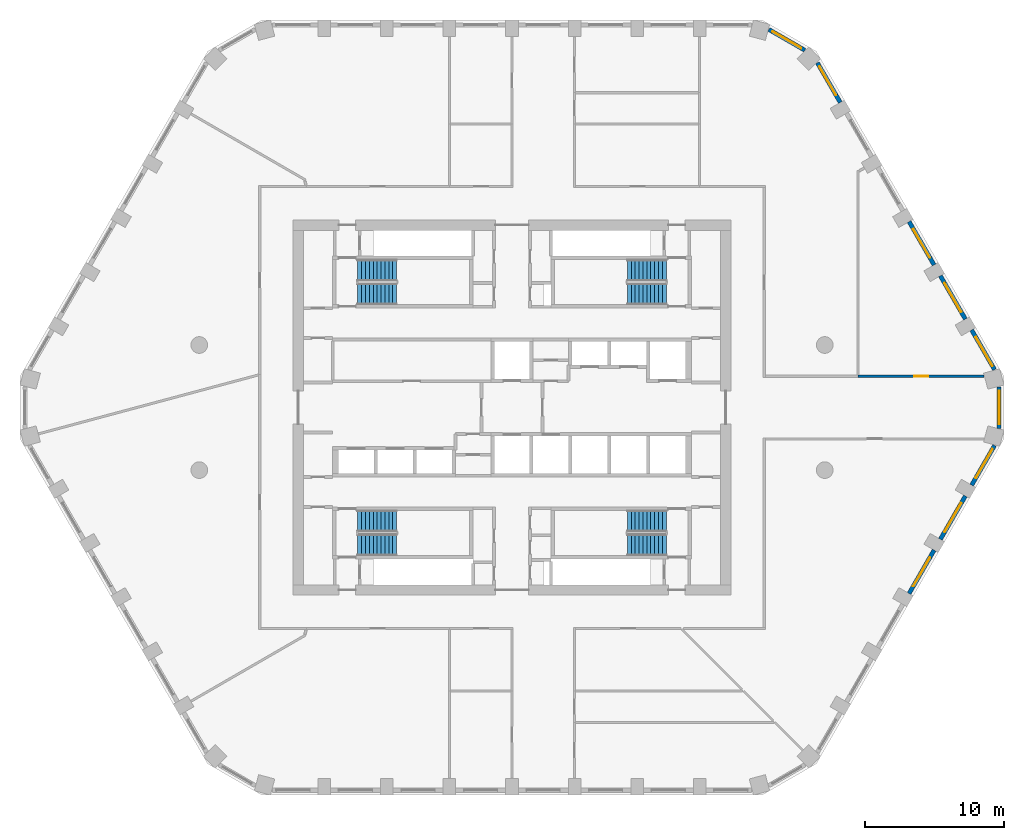
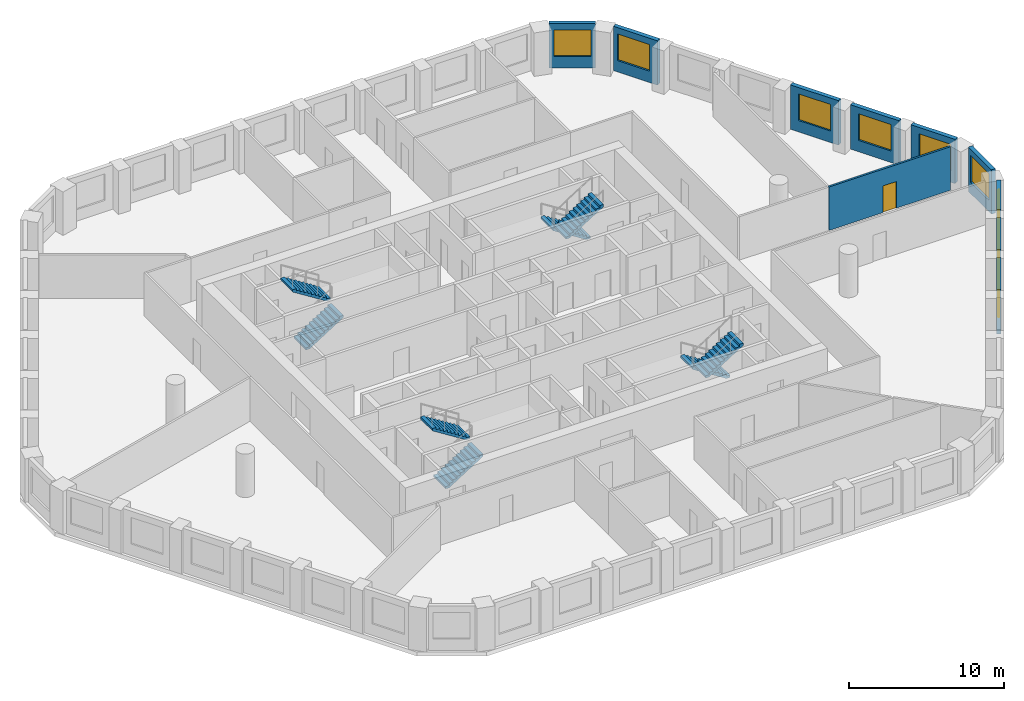
# One storey, part 8 of 9: 10 walls, 9 windows, 8 stair flights, 1 door, 10 openings, 4 elements without a shape of their own.
"""IFC4 building model written with IfcOpenShell, lengths in metres."""

from ifc_helpers import new_model, si_unit, direction, frame, frame_2d, origin, place, context, subcontext, project, spatial, polyline, rectangle, outline, extrude, material, layer, layer_set, type_object, element, fill, aggregate, save


model = new_model("IFC4")

# Units and contexts
model_context = context("Model", 3, precision=1e-05, world=origin(), true_north=direction((0.0, 1.0)))
body_context = subcontext(model_context, "Body", "Model", "MODEL_VIEW")
ifc_project = project(units=[si_unit("LENGTHUNIT", "METRE"), si_unit("AREAUNIT", "SQUARE_METRE"), si_unit("VOLUMEUNIT", "CUBIC_METRE"), si_unit("PLANEANGLEUNIT", "RADIAN"), si_unit("MASSUNIT", "GRAM", prefix="KILO")], contexts=[model_context])

# Site, building, storey
site_placement = place(None, origin())
site = spatial("IfcSite", under=ifc_project, at=site_placement, CompositionType="ELEMENT")
building_placement = place(site_placement, origin())
building = spatial("IfcBuilding", under=site, at=building_placement, Name="Dhurran Vertical Campus", CompositionType="ELEMENT")
storey_placement = place(building_placement, frame((0.0, 0.0, 175.5)))
storey = spatial("IfcBuildingStorey", under=building, at=storey_placement, Name="L43", CompositionType="ELEMENT", Elevation=175.5)

# Wall, opening, window
ifc_material_1 = material(Name="Precast concrete C50/60", Category="concrete")
ifc_layer_1 = layer(ifc_material_1, 0.300048828125)
ifc_layer_set_1 = layer_set([ifc_layer_1], Name="Precast concrete C50/60")
wall_type_1 = type_object("IfcWallType", Name="Precast spandrel wall 300", PredefinedType="SOLIDWALL", material=ifc_layer_set_1)
wall_1_placement = place(storey_placement, frame((28.5693359375, -13.376220703125, 0.0), z_axis=(0.0, 0.0, 1.0), x_axis=(0.500027802648, 0.866009351323, 0.0)))
wall_1 = element("IfcWall", 1, at=wall_1_placement, inside=storey, type_object=wall_type_1, Name="EW1 L43.12", PredefinedType="SOLIDWALL", context=body_context, shape_type="SweptSolid", body=[
    extrude(rectangle(XDim=3.598876953125, YDim=0.300048828125, at=frame_2d((1.79931640625, 0.0))), origin(), (0.0, 0.0, 1.0), 3.5),
])
opening_1_placement = place(wall_1_placement, frame((0.599609375, 0.0, 0.89990234375)))
opening_1 = element("IfcOpeningElement", 2, at=opening_1_placement, cuts=wall_1, Name="Opening WT1", PredefinedType="OPENING", context=body_context, shape_type="SweptSolid", body=[
    extrude(rectangle(XDim=2.39990234375, YDim=2.10009765625, at=frame_2d((1.199951171875, 1.050048828125))), frame((0.0, 0.159912109375, 0.0), z_axis=(0.0, -1.0, 0.0), x_axis=(1.0, 0.0, 0.0)), (0.0, 0.0, 1.0), 0.320068359375),
])
ifc_material_2 = material(Name="Aluminium frame with solar-control glass", Category="aluminium")
window_type = type_object("IfcWindowType", Name="Punched window 2400 x 2100", PartitioningType="SINGLE_PANEL", PredefinedType="WINDOW", material=ifc_material_2)
window_1_placement = place(opening_1_placement, origin())
window_1 = element("IfcWindow", 3, at=window_1_placement, inside=storey, type_object=window_type, Name="WT1 L43.12", OverallHeight=2.10009765625, OverallWidth=2.39990234375, PartitioningType="SINGLE_PANEL", PredefinedType="WINDOW", context=body_context, shape_type="SweptSolid", body=[
    extrude(rectangle(XDim=2.39990234375, YDim=2.10009765625, at=frame_2d((1.199951171875, 1.050048828125))), frame((0.0, 0.030029296875, 0.0), z_axis=(0.0, -1.0, 0.0), x_axis=(1.0, 0.0, 0.0)), (0.0, 0.0, 1.0), 0.06005859375),
])
fill(opening_1, window_1)

wall_2_placement = place(storey_placement, frame((30.8193359375, -9.47900390625, 0.0), z_axis=(0.0, 0.0, 1.0), x_axis=(0.500027802648, 0.866009351323, 0.0)))
wall_2 = element("IfcWall", 4, at=wall_2_placement, inside=storey, type_object=wall_type_1, Name="EW1 L43.13", PredefinedType="SOLIDWALL", context=body_context, shape_type="SweptSolid", body=[
    extrude(rectangle(XDim=3.598876953125, YDim=0.300048828125, at=frame_2d((1.79931640625, 0.0))), origin(), (0.0, 0.0, 1.0), 3.5),
])
opening_2_placement = place(wall_2_placement, frame((0.599609375, 0.0, 0.89990234375)))
opening_2 = element("IfcOpeningElement", 5, at=opening_2_placement, cuts=wall_2, Name="Opening WT1", PredefinedType="OPENING", context=body_context, shape_type="SweptSolid", body=[
    extrude(rectangle(XDim=2.39990234375, YDim=2.10009765625, at=frame_2d((1.199951171875, 1.050048828125))), frame((0.0, 0.159912109375, 0.0), z_axis=(0.0, -1.0, 0.0), x_axis=(1.0, 0.0, 0.0)), (0.0, 0.0, 1.0), 0.320068359375),
])
window_2_placement = place(opening_2_placement, origin())
window_2 = element("IfcWindow", 6, at=window_2_placement, inside=storey, type_object=window_type, Name="WT1 L43.13", OverallHeight=2.10009765625, OverallWidth=2.39990234375, PartitioningType="SINGLE_PANEL", PredefinedType="WINDOW", context=body_context, shape_type="SweptSolid", body=[
    extrude(rectangle(XDim=2.39990234375, YDim=2.10009765625, at=frame_2d((1.199951171875, 1.050048828125))), frame((0.0, 0.030029296875, 0.0), z_axis=(0.0, -1.0, 0.0), x_axis=(1.0, 0.0, 0.0)), (0.0, 0.0, 1.0), 0.06005859375),
])
fill(opening_2, window_2)

wall_3_placement = place(storey_placement, frame((33.0693359375, -5.58203125, 0.0), z_axis=(0.0, 0.0, 1.0), x_axis=(0.499981217486, 0.866036247602, 0.0)))
wall_3 = element("IfcWall", 7, at=wall_3_placement, inside=storey, type_object=wall_type_1, Name="EW1 L43.14", PredefinedType="SOLIDWALL", context=body_context, shape_type="SweptSolid", body=[
    extrude(rectangle(XDim=3.294189453125, YDim=0.300048828125, at=frame_2d((1.64697265625, 0.0))), origin(), (0.0, 0.0, 1.0), 3.5),
])
opening_3_placement = place(wall_3_placement, frame((0.599609375, 0.0, 0.89990234375)))
opening_3 = element("IfcOpeningElement", 8, at=opening_3_placement, cuts=wall_3, Name="Opening WT1", PredefinedType="OPENING", context=body_context, shape_type="SweptSolid", body=[
    extrude(rectangle(XDim=2.39990234375, YDim=2.10009765625, at=frame_2d((1.199951171875, 1.050048828125))), frame((0.0, 0.159912109375, 0.0), z_axis=(0.0, -1.0, 0.0), x_axis=(1.0, 0.0, 0.0)), (0.0, 0.0, 1.0), 0.320068359375),
])
window_3_placement = place(opening_3_placement, origin())
window_3 = element("IfcWindow", 9, at=window_3_placement, inside=storey, type_object=window_type, Name="WT1 L43.14", OverallHeight=2.10009765625, OverallWidth=2.39990234375, PartitioningType="SINGLE_PANEL", PredefinedType="WINDOW", context=body_context, shape_type="SweptSolid", body=[
    extrude(rectangle(XDim=2.39990234375, YDim=2.10009765625, at=frame_2d((1.199951171875, 1.050048828125))), frame((0.0, 0.030029296875, 0.0), z_axis=(0.0, -1.0, 0.0), x_axis=(1.0, 0.0, 0.0)), (0.0, 0.0, 1.0), 0.06005859375),
])
fill(opening_3, window_3)

wall_4_placement = place(storey_placement, frame((35.047119140625, -1.49462890625, 0.0), z_axis=(0.0, 0.0, 1.0), x_axis=(0.0, 1.0, 0.0)))
wall_4 = element("IfcWall", 10, at=wall_4_placement, inside=storey, type_object=wall_type_1, Name="EW1 L43.15", PredefinedType="SOLIDWALL", context=body_context, shape_type="SweptSolid", body=[
    extrude(rectangle(XDim=2.9892578125, YDim=0.300048828125, at=frame_2d((1.49462890625, 0.0))), origin(), (0.0, 0.0, 1.0), 3.5),
])
opening_4_placement = place(wall_4_placement, frame((0.294677734375, 0.0, 0.89990234375)))
opening_4 = element("IfcOpeningElement", 11, at=opening_4_placement, cuts=wall_4, Name="Opening WT1", PredefinedType="OPENING", context=body_context, shape_type="SweptSolid", body=[
    extrude(rectangle(XDim=2.39990234375, YDim=2.10009765625, at=frame_2d((1.199951171875, 1.050048828125))), frame((0.0, 0.159912109375, 0.0), z_axis=(0.0, -1.0, 0.0), x_axis=(1.0, 0.0, 0.0)), (0.0, 0.0, 1.0), 0.320068359375),
])
window_4_placement = place(opening_4_placement, origin())
window_4 = element("IfcWindow", 12, at=window_4_placement, inside=storey, type_object=window_type, Name="WT1 L43.15", OverallHeight=2.10009765625, OverallWidth=2.39990234375, PartitioningType="SINGLE_PANEL", PredefinedType="WINDOW", context=body_context, shape_type="SweptSolid", body=[
    extrude(rectangle(XDim=2.39990234375, YDim=2.10009765625, at=frame_2d((1.199951171875, 1.050048828125))), frame((0.0, 0.030029296875, 0.0), z_axis=(0.0, -1.0, 0.0), x_axis=(1.0, 0.0, 0.0)), (0.0, 0.0, 1.0), 0.06005859375),
])
fill(opening_4, window_4)

wall_5_placement = place(storey_placement, frame((34.71630859375, 2.729248046875, 0.0), z_axis=(0.0, 0.0, 1.0), x_axis=(-0.499981217486, 0.866036247602, 0.0)))
wall_5 = element("IfcWall", 13, at=wall_5_placement, inside=storey, type_object=wall_type_1, Name="EW1 L43.16", PredefinedType="SOLIDWALL", context=body_context, shape_type="SweptSolid", body=[
    extrude(rectangle(XDim=3.294189453125, YDim=0.300048828125, at=frame_2d((1.64697265625, 0.0))), origin(), (0.0, 0.0, 1.0), 3.5),
])
opening_5_placement = place(wall_5_placement, frame((0.294677734375, 0.0, 0.89990234375)))
opening_5 = element("IfcOpeningElement", 14, at=opening_5_placement, cuts=wall_5, Name="Opening WT1", PredefinedType="OPENING", context=body_context, shape_type="SweptSolid", body=[
    extrude(rectangle(XDim=2.39990234375, YDim=2.10009765625, at=frame_2d((1.199951171875, 1.050048828125))), frame((0.0, 0.159912109375, 0.0), z_axis=(0.0, -1.0, 0.0), x_axis=(1.0, 0.0, 0.0)), (0.0, 0.0, 1.0), 0.320068359375),
])
window_5_placement = place(opening_5_placement, origin())
window_5 = element("IfcWindow", 15, at=window_5_placement, inside=storey, type_object=window_type, Name="WT1 L43.16", OverallHeight=2.10009765625, OverallWidth=2.39990234375, PartitioningType="SINGLE_PANEL", PredefinedType="WINDOW", context=body_context, shape_type="SweptSolid", body=[
    extrude(rectangle(XDim=2.39990234375, YDim=2.10009765625, at=frame_2d((1.199951171875, 1.050048828125))), frame((0.0, 0.030029296875, 0.0), z_axis=(0.0, -1.0, 0.0), x_axis=(1.0, 0.0, 0.0)), (0.0, 0.0, 1.0), 0.06005859375),
])
fill(opening_5, window_5)

wall_6_placement = place(storey_placement, frame((32.618896484375, 6.3623046875, 0.0), z_axis=(0.0, 0.0, 1.0), x_axis=(-0.500027802648, 0.866009351323, 0.0)))
wall_6 = element("IfcWall", 16, at=wall_6_placement, inside=storey, type_object=wall_type_1, Name="EW1 L43.17", PredefinedType="SOLIDWALL", context=body_context, shape_type="SweptSolid", body=[
    extrude(rectangle(XDim=3.598876953125, YDim=0.300048828125, at=frame_2d((1.79931640625, 0.0))), origin(), (0.0, 0.0, 1.0), 3.5),
])
opening_6_placement = place(wall_6_placement, frame((0.599609375, 0.0, 0.89990234375)))
opening_6 = element("IfcOpeningElement", 17, at=opening_6_placement, cuts=wall_6, Name="Opening WT1", PredefinedType="OPENING", context=body_context, shape_type="SweptSolid", body=[
    extrude(rectangle(XDim=2.39990234375, YDim=2.10009765625, at=frame_2d((1.199951171875, 1.050048828125))), frame((0.0, 0.159912109375, 0.0), z_axis=(0.0, -1.0, 0.0), x_axis=(1.0, 0.0, 0.0)), (0.0, 0.0, 1.0), 0.320068359375),
])
window_6_placement = place(opening_6_placement, origin())
window_6 = element("IfcWindow", 18, at=window_6_placement, inside=storey, type_object=window_type, Name="WT1 L43.17", OverallHeight=2.10009765625, OverallWidth=2.39990234375, PartitioningType="SINGLE_PANEL", PredefinedType="WINDOW", context=body_context, shape_type="SweptSolid", body=[
    extrude(rectangle(XDim=2.39990234375, YDim=2.10009765625, at=frame_2d((1.199951171875, 1.050048828125))), frame((0.0, 0.030029296875, 0.0), z_axis=(0.0, -1.0, 0.0), x_axis=(1.0, 0.0, 0.0)), (0.0, 0.0, 1.0), 0.06005859375),
])
fill(opening_6, window_6)

wall_7_placement = place(storey_placement, frame((30.368896484375, 10.259521484375, 0.0), z_axis=(0.0, 0.0, 1.0), x_axis=(-0.500027802648, 0.866009351323, 0.0)))
wall_7 = element("IfcWall", 19, at=wall_7_placement, inside=storey, type_object=wall_type_1, Name="EW1 L43.18", PredefinedType="SOLIDWALL", context=body_context, shape_type="SweptSolid", body=[
    extrude(rectangle(XDim=3.598876953125, YDim=0.300048828125, at=frame_2d((1.79931640625, 0.0))), origin(), (0.0, 0.0, 1.0), 3.5),
])
opening_7_placement = place(wall_7_placement, frame((0.599609375, 0.0, 0.89990234375)))
opening_7 = element("IfcOpeningElement", 20, at=opening_7_placement, cuts=wall_7, Name="Opening WT1", PredefinedType="OPENING", context=body_context, shape_type="SweptSolid", body=[
    extrude(rectangle(XDim=2.39990234375, YDim=2.10009765625, at=frame_2d((1.199951171875, 1.050048828125))), frame((0.0, 0.159912109375, 0.0), z_axis=(0.0, -1.0, 0.0), x_axis=(1.0, 0.0, 0.0)), (0.0, 0.0, 1.0), 0.320068359375),
])
window_7_placement = place(opening_7_placement, origin())
window_7 = element("IfcWindow", 21, at=window_7_placement, inside=storey, type_object=window_type, Name="WT1 L43.18", OverallHeight=2.10009765625, OverallWidth=2.39990234375, PartitioningType="SINGLE_PANEL", PredefinedType="WINDOW", context=body_context, shape_type="SweptSolid", body=[
    extrude(rectangle(XDim=2.39990234375, YDim=2.10009765625, at=frame_2d((1.199951171875, 1.050048828125))), frame((0.0, 0.030029296875, 0.0), z_axis=(0.0, -1.0, 0.0), x_axis=(1.0, 0.0, 0.0)), (0.0, 0.0, 1.0), 0.06005859375),
])
fill(opening_7, window_7)

wall_8_placement = place(storey_placement, frame((23.618896484375, 21.95068359375, 0.0), z_axis=(0.0, 0.0, 1.0), x_axis=(-0.500036802197, 0.866004154983, 0.0)))
wall_8 = element("IfcWall", 22, at=wall_8_placement, inside=storey, type_object=wall_type_1, Name="EW1 L43.21", PredefinedType="SOLIDWALL", context=body_context, shape_type="SweptSolid", body=[
    extrude(rectangle(XDim=3.294189453125, YDim=0.300048828125, at=frame_2d((1.64697265625, 0.0))), origin(), (0.0, 0.0, 1.0), 3.5),
])
opening_8_placement = place(wall_8_placement, frame((0.599609375, 0.0, 0.89990234375)))
opening_8 = element("IfcOpeningElement", 23, at=opening_8_placement, cuts=wall_8, Name="Opening WT1", PredefinedType="OPENING", context=body_context, shape_type="SweptSolid", body=[
    extrude(rectangle(XDim=2.39990234375, YDim=2.10009765625, at=frame_2d((1.199951171875, 1.050048828125))), frame((0.0, 0.159912109375, 0.0), z_axis=(0.0, -1.0, 0.0), x_axis=(1.0, 0.0, 0.0)), (0.0, 0.0, 1.0), 0.320068359375),
])
window_8_placement = place(opening_8_placement, origin())
window_8 = element("IfcWindow", 24, at=window_8_placement, inside=storey, type_object=window_type, Name="WT1 L43.21", OverallHeight=2.10009765625, OverallWidth=2.39990234375, PartitioningType="SINGLE_PANEL", PredefinedType="WINDOW", context=body_context, shape_type="SweptSolid", body=[
    extrude(rectangle(XDim=2.39990234375, YDim=2.10009765625, at=frame_2d((1.199951171875, 1.050048828125))), frame((0.0, 0.030029296875, 0.0), z_axis=(0.0, -1.0, 0.0), x_axis=(1.0, 0.0, 0.0)), (0.0, 0.0, 1.0), 0.06005859375),
])
fill(opening_8, window_8)

wall_9_placement = place(storey_placement, frame((21.06787109375, 25.707275390625, 0.0), z_axis=(0.0, 0.0, 1.0), x_axis=(-0.866012844897, 0.500021752, 0.0)))
wall_9 = element("IfcWall", 25, at=wall_9_placement, inside=storey, type_object=wall_type_1, Name="EW1 L43.22", PredefinedType="SOLIDWALL", context=body_context, shape_type="SweptSolid", body=[
    extrude(rectangle(XDim=2.989013671875, YDim=0.300048828125, at=frame_2d((1.49462890625, 0.0))), origin(), (0.0, 0.0, 1.0), 3.5),
])
opening_9_placement = place(wall_9_placement, frame((0.294677734375, 0.0, 0.89990234375)))
opening_9 = element("IfcOpeningElement", 26, at=opening_9_placement, cuts=wall_9, Name="Opening WT1", PredefinedType="OPENING", context=body_context, shape_type="SweptSolid", body=[
    extrude(rectangle(XDim=2.39990234375, YDim=2.10009765625, at=frame_2d((1.199951171875, 1.050048828125))), frame((0.0, 0.159912109375, 0.0), z_axis=(0.0, -1.0, 0.0), x_axis=(1.0, 0.0, 0.0)), (0.0, 0.0, 1.0), 0.320068359375),
])
window_9_placement = place(opening_9_placement, origin())
window_9 = element("IfcWindow", 27, at=window_9_placement, inside=storey, type_object=window_type, Name="WT1 L43.22", OverallHeight=2.10009765625, OverallWidth=2.39990234375, PartitioningType="SINGLE_PANEL", PredefinedType="WINDOW", context=body_context, shape_type="SweptSolid", body=[
    extrude(rectangle(XDim=2.39990234375, YDim=2.10009765625, at=frame_2d((1.199951171875, 1.050048828125))), frame((0.0, 0.030029296875, 0.0), z_axis=(0.0, -1.0, 0.0), x_axis=(1.0, 0.0, 0.0)), (0.0, 0.0, 1.0), 0.06005859375),
])
fill(opening_9, window_9)

# Wall, opening, door
ifc_material_3 = material(Name="Gypsum board corridor wall on steel studs", Category="steel")
ifc_layer_2 = layer(ifc_material_3, 0.14990234375)
ifc_layer_set_2 = layer_set([ifc_layer_2], Name="Gypsum board corridor wall on steel studs")
wall_type_2 = type_object("IfcWallType", Name="fl-CW-150 corridor wall", PredefinedType="PARTITIONING", material=ifc_layer_set_2)
wall_10_placement = place(storey_placement, frame((24.89990234375, 2.25, 0.0), z_axis=(0.0, 0.0, 1.0), x_axis=(1.0, 0.0, 0.0)))
wall_10 = element("IfcWall", 28, at=wall_10_placement, inside=storey, type_object=wall_type_2, Name="Partition 43-49", PredefinedType="PARTITIONING", context=body_context, shape_type="SweptSolid", body=[
    extrude(rectangle(XDim=9.06787109375, YDim=0.14990234375, at=frame_2d((4.533935546875, 0.0))), origin(), (0.0, 0.0, 1.0), 3.425048828125),
])
opening_10_placement = place(wall_10_placement, frame((4.033935546875, 0.0, 0.0)))
opening_10 = element("IfcOpeningElement", 29, at=opening_10_placement, cuts=wall_10, Name="Opening T12.17", PredefinedType="OPENING", context=body_context, shape_type="SweptSolid", body=[
    extrude(rectangle(XDim=1.0, YDim=2.10009765625, at=frame_2d((0.5, 1.050048828125))), frame((0.0, 0.0849609375, 0.0), z_axis=(0.0, -1.0, 0.0), x_axis=(1.0, 0.0, 0.0)), (0.0, 0.0, 1.0), 0.169921875),
])
ifc_material_4 = material(Name="Solid-core timber door set, fire-rated", Category="wood")
door_type = type_object("IfcDoorType", Name="fl-D-1000x2100", OperationType="SINGLE_SWING_LEFT", PredefinedType="DOOR", material=ifc_material_4)
door_placement = place(opening_10_placement, origin())
door = element("IfcDoor", 30, at=door_placement, inside=storey, type_object=door_type, Name="Door 43.17", OperationType="SINGLE_SWING_RIGHT", OverallHeight=2.10009765625, OverallWidth=1.0, PredefinedType="DOOR", context=body_context, shape_type="SweptSolid", body=[
    extrude(rectangle(XDim=1.0, YDim=2.10009765625, at=frame_2d((0.5, 1.050048828125))), frame((0.0, 0.02490234375, 0.0), z_axis=(0.0, -1.0, 0.0), x_axis=(1.0, 0.0, 0.0)), (0.0, 0.0, 1.0), 0.050048828125),
])
fill(opening_10, door)

# Stair, stair flights
ifc_material_5 = material(Name="Concrete C40/50", Category="concrete")
stair_type = type_object("IfcStairType", Name="co-ST-CORE", PredefinedType="HALF_TURN_STAIR", material=ifc_material_5)
stair_1_placement = place(storey_placement, origin())
stair_1 = element("IfcStair", 31, at=stair_1_placement, inside=storey, type_object=stair_type, Name="L43 Protected exit stair ST1", PredefinedType="HALF_TURN_STAIR")
ifc_material_6 = material(Name="Concrete C40/50", Category="concrete")
stair_flight_type = type_object("IfcStairFlightType", Name="co-SFL-RC", PredefinedType="STRAIGHT", material=ifc_material_6)
stair_flight_1_placement = place(storey_placement, frame((-11.10009765625, 8.175048828125, 0.0), z_axis=(0.0, 0.0, 1.0), x_axis=(1.0, 0.0, 0.0)))
stair_flight_1 = element("IfcStairFlight", 32, at=stair_flight_1_placement, type_object=stair_flight_type, Name="ST1 flight 1", NumberOfRisers=11, NumberOfTreads=10, PredefinedType="STRAIGHT", RiserHeight=0.177272727, TreadLength=0.28, context=body_context, shape_type="SweptSolid", body=[
    extrude(outline(polyline([(0.0, 0.0), (0.0, 0.17724609375), (0.280029296875, 0.17724609375), (0.280029296875, 0.3544921875), (0.56005859375, 0.3544921875), (0.56005859375, 0.53173828125), (0.840087890625, 0.53173828125), (0.840087890625, 0.708984375), (1.1201171875, 0.708984375), (1.1201171875, 0.886474609375), (1.39990234375, 0.886474609375), (1.39990234375, 1.063720703125), (1.679931640625, 1.063720703125), (1.679931640625, 1.240966796875), (1.9599609375, 1.240966796875), (1.9599609375, 1.418212890625), (2.239990234375, 1.418212890625), (2.239990234375, 1.595458984375), (2.52001953125, 1.595458984375), (2.52001953125, 1.772705078125), (2.800048828125, 1.772705078125), (2.800048828125, 1.949951171875), (2.800048828125, 1.59521484375), (0.2802734375, 0.0), (0.0, 0.0)])), frame((0.0, 0.77490234375, 0.0), z_axis=(0.0, -1.0, 0.0), x_axis=(1.0, 0.0, 0.0)), (0.0, 0.0, 1.0), 1.550048828125),
])
stair_flight_2_placement = place(storey_placement, frame((-8.300048828125, 9.875, 1.949951171875), z_axis=(0.0, 0.0, 1.0), x_axis=(-1.0, 0.0, 0.0)))
stair_flight_2 = element("IfcStairFlight", 33, at=stair_flight_2_placement, type_object=stair_flight_type, Name="ST1 flight 2", NumberOfRisers=11, NumberOfTreads=10, PredefinedType="STRAIGHT", RiserHeight=0.177272727, TreadLength=0.28, context=body_context, shape_type="SweptSolid", body=[
    extrude(outline(polyline([(0.0, 0.0), (0.0, 0.17724609375), (0.280029296875, 0.17724609375), (0.280029296875, 0.3544921875), (0.56005859375, 0.3544921875), (0.56005859375, 0.53173828125), (0.840087890625, 0.53173828125), (0.840087890625, 0.708984375), (1.1201171875, 0.708984375), (1.1201171875, 0.886474609375), (1.39990234375, 0.886474609375), (1.39990234375, 1.063720703125), (1.679931640625, 1.063720703125), (1.679931640625, 1.240966796875), (1.9599609375, 1.240966796875), (1.9599609375, 1.418212890625), (2.239990234375, 1.418212890625), (2.239990234375, 1.595458984375), (2.52001953125, 1.595458984375), (2.52001953125, 1.772705078125), (2.800048828125, 1.772705078125), (2.800048828125, 1.949951171875), (2.800048828125, 1.59521484375), (0.2802734375, 0.0), (0.0, 0.0)])), frame((0.0, 0.77490234375, 0.0), z_axis=(0.0, -1.0, 0.0), x_axis=(1.0, 0.0, 0.0)), (0.0, 0.0, 1.0), 1.550048828125),
])
aggregate(stair_1, [stair_flight_1, stair_flight_2])

stair_2_placement = place(storey_placement, origin())
stair_2 = element("IfcStair", 34, at=stair_2_placement, inside=storey, type_object=stair_type, Name="L43 Protected exit stair ST2", PredefinedType="HALF_TURN_STAIR")
stair_flight_3_placement = place(storey_placement, frame((11.10009765625, 9.875, 0.0), z_axis=(0.0, 0.0, 1.0), x_axis=(-1.0, 0.0, 0.0)))
stair_flight_3 = element("IfcStairFlight", 35, at=stair_flight_3_placement, type_object=stair_flight_type, Name="ST2 flight 1", NumberOfRisers=11, NumberOfTreads=10, PredefinedType="STRAIGHT", RiserHeight=0.177272727, TreadLength=0.28, context=body_context, shape_type="SweptSolid", body=[
    extrude(outline(polyline([(0.0, 0.0), (0.0, 0.17724609375), (0.280029296875, 0.17724609375), (0.280029296875, 0.3544921875), (0.56005859375, 0.3544921875), (0.56005859375, 0.53173828125), (0.840087890625, 0.53173828125), (0.840087890625, 0.708984375), (1.1201171875, 0.708984375), (1.1201171875, 0.886474609375), (1.39990234375, 0.886474609375), (1.39990234375, 1.063720703125), (1.679931640625, 1.063720703125), (1.679931640625, 1.240966796875), (1.9599609375, 1.240966796875), (1.9599609375, 1.418212890625), (2.239990234375, 1.418212890625), (2.239990234375, 1.595458984375), (2.52001953125, 1.595458984375), (2.52001953125, 1.772705078125), (2.800048828125, 1.772705078125), (2.800048828125, 1.949951171875), (2.800048828125, 1.59521484375), (0.2802734375, 0.0), (0.0, 0.0)])), frame((0.0, 0.77490234375, 0.0), z_axis=(0.0, -1.0, 0.0), x_axis=(1.0, 0.0, 0.0)), (0.0, 0.0, 1.0), 1.550048828125),
])
stair_flight_4_placement = place(storey_placement, frame((8.300048828125, 8.175048828125, 1.949951171875), z_axis=(0.0, 0.0, 1.0), x_axis=(1.0, 0.0, 0.0)))
stair_flight_4 = element("IfcStairFlight", 36, at=stair_flight_4_placement, type_object=stair_flight_type, Name="ST2 flight 2", NumberOfRisers=11, NumberOfTreads=10, PredefinedType="STRAIGHT", RiserHeight=0.177272727, TreadLength=0.28, context=body_context, shape_type="SweptSolid", body=[
    extrude(outline(polyline([(0.0, 0.0), (0.0, 0.17724609375), (0.280029296875, 0.17724609375), (0.280029296875, 0.3544921875), (0.56005859375, 0.3544921875), (0.56005859375, 0.53173828125), (0.840087890625, 0.53173828125), (0.840087890625, 0.708984375), (1.1201171875, 0.708984375), (1.1201171875, 0.886474609375), (1.39990234375, 0.886474609375), (1.39990234375, 1.063720703125), (1.679931640625, 1.063720703125), (1.679931640625, 1.240966796875), (1.9599609375, 1.240966796875), (1.9599609375, 1.418212890625), (2.239990234375, 1.418212890625), (2.239990234375, 1.595458984375), (2.52001953125, 1.595458984375), (2.52001953125, 1.772705078125), (2.800048828125, 1.772705078125), (2.800048828125, 1.949951171875), (2.800048828125, 1.59521484375), (0.2802734375, 0.0), (0.0, 0.0)])), frame((0.0, 0.77490234375, 0.0), z_axis=(0.0, -1.0, 0.0), x_axis=(1.0, 0.0, 0.0)), (0.0, 0.0, 1.0), 1.550048828125),
])
aggregate(stair_2, [stair_flight_3, stair_flight_4])

stair_3_placement = place(storey_placement, origin())
stair_3 = element("IfcStair", 37, at=stair_3_placement, inside=storey, type_object=stair_type, Name="L43 Protected exit stair ST3", PredefinedType="HALF_TURN_STAIR")
stair_flight_5_placement = place(storey_placement, frame((-11.10009765625, -9.875, 0.0), z_axis=(0.0, 0.0, 1.0), x_axis=(1.0, 0.0, 0.0)))
stair_flight_5 = element("IfcStairFlight", 38, at=stair_flight_5_placement, type_object=stair_flight_type, Name="ST3 flight 1", NumberOfRisers=11, NumberOfTreads=10, PredefinedType="STRAIGHT", RiserHeight=0.177272727, TreadLength=0.28, context=body_context, shape_type="SweptSolid", body=[
    extrude(outline(polyline([(0.0, 0.0), (0.0, 0.17724609375), (0.280029296875, 0.17724609375), (0.280029296875, 0.3544921875), (0.56005859375, 0.3544921875), (0.56005859375, 0.53173828125), (0.840087890625, 0.53173828125), (0.840087890625, 0.708984375), (1.1201171875, 0.708984375), (1.1201171875, 0.886474609375), (1.39990234375, 0.886474609375), (1.39990234375, 1.063720703125), (1.679931640625, 1.063720703125), (1.679931640625, 1.240966796875), (1.9599609375, 1.240966796875), (1.9599609375, 1.418212890625), (2.239990234375, 1.418212890625), (2.239990234375, 1.595458984375), (2.52001953125, 1.595458984375), (2.52001953125, 1.772705078125), (2.800048828125, 1.772705078125), (2.800048828125, 1.949951171875), (2.800048828125, 1.59521484375), (0.2802734375, 0.0), (0.0, 0.0)])), frame((0.0, 0.77490234375, 0.0), z_axis=(0.0, -1.0, 0.0), x_axis=(1.0, 0.0, 0.0)), (0.0, 0.0, 1.0), 1.550048828125),
])
stair_flight_6_placement = place(storey_placement, frame((-8.300048828125, -8.175048828125, 1.949951171875), z_axis=(0.0, 0.0, 1.0), x_axis=(-1.0, 0.0, 0.0)))
stair_flight_6 = element("IfcStairFlight", 39, at=stair_flight_6_placement, type_object=stair_flight_type, Name="ST3 flight 2", NumberOfRisers=11, NumberOfTreads=10, PredefinedType="STRAIGHT", RiserHeight=0.177272727, TreadLength=0.28, context=body_context, shape_type="SweptSolid", body=[
    extrude(outline(polyline([(0.0, 0.0), (0.0, 0.17724609375), (0.280029296875, 0.17724609375), (0.280029296875, 0.3544921875), (0.56005859375, 0.3544921875), (0.56005859375, 0.53173828125), (0.840087890625, 0.53173828125), (0.840087890625, 0.708984375), (1.1201171875, 0.708984375), (1.1201171875, 0.886474609375), (1.39990234375, 0.886474609375), (1.39990234375, 1.063720703125), (1.679931640625, 1.063720703125), (1.679931640625, 1.240966796875), (1.9599609375, 1.240966796875), (1.9599609375, 1.418212890625), (2.239990234375, 1.418212890625), (2.239990234375, 1.595458984375), (2.52001953125, 1.595458984375), (2.52001953125, 1.772705078125), (2.800048828125, 1.772705078125), (2.800048828125, 1.949951171875), (2.800048828125, 1.59521484375), (0.2802734375, 0.0), (0.0, 0.0)])), frame((0.0, 0.77490234375, 0.0), z_axis=(0.0, -1.0, 0.0), x_axis=(1.0, 0.0, 0.0)), (0.0, 0.0, 1.0), 1.550048828125),
])
aggregate(stair_3, [stair_flight_5, stair_flight_6])

stair_4_placement = place(storey_placement, origin())
stair_4 = element("IfcStair", 40, at=stair_4_placement, inside=storey, type_object=stair_type, Name="L43 Protected exit stair ST4", PredefinedType="HALF_TURN_STAIR")
stair_flight_7_placement = place(storey_placement, frame((11.10009765625, -8.175048828125, 0.0), z_axis=(0.0, 0.0, 1.0), x_axis=(-1.0, 0.0, 0.0)))
stair_flight_7 = element("IfcStairFlight", 41, at=stair_flight_7_placement, type_object=stair_flight_type, Name="ST4 flight 1", NumberOfRisers=11, NumberOfTreads=10, PredefinedType="STRAIGHT", RiserHeight=0.177272727, TreadLength=0.28, context=body_context, shape_type="SweptSolid", body=[
    extrude(outline(polyline([(0.0, 0.0), (0.0, 0.17724609375), (0.280029296875, 0.17724609375), (0.280029296875, 0.3544921875), (0.56005859375, 0.3544921875), (0.56005859375, 0.53173828125), (0.840087890625, 0.53173828125), (0.840087890625, 0.708984375), (1.1201171875, 0.708984375), (1.1201171875, 0.886474609375), (1.39990234375, 0.886474609375), (1.39990234375, 1.063720703125), (1.679931640625, 1.063720703125), (1.679931640625, 1.240966796875), (1.9599609375, 1.240966796875), (1.9599609375, 1.418212890625), (2.239990234375, 1.418212890625), (2.239990234375, 1.595458984375), (2.52001953125, 1.595458984375), (2.52001953125, 1.772705078125), (2.800048828125, 1.772705078125), (2.800048828125, 1.949951171875), (2.800048828125, 1.59521484375), (0.2802734375, 0.0), (0.0, 0.0)])), frame((0.0, 0.77490234375, 0.0), z_axis=(0.0, -1.0, 0.0), x_axis=(1.0, 0.0, 0.0)), (0.0, 0.0, 1.0), 1.550048828125),
])
stair_flight_8_placement = place(storey_placement, frame((8.300048828125, -9.875, 1.949951171875), z_axis=(0.0, 0.0, 1.0), x_axis=(1.0, 0.0, 0.0)))
stair_flight_8 = element("IfcStairFlight", 42, at=stair_flight_8_placement, type_object=stair_flight_type, Name="ST4 flight 2", NumberOfRisers=11, NumberOfTreads=10, PredefinedType="STRAIGHT", RiserHeight=0.177272727, TreadLength=0.28, context=body_context, shape_type="SweptSolid", body=[
    extrude(outline(polyline([(0.0, 0.0), (0.0, 0.17724609375), (0.280029296875, 0.17724609375), (0.280029296875, 0.3544921875), (0.56005859375, 0.3544921875), (0.56005859375, 0.53173828125), (0.840087890625, 0.53173828125), (0.840087890625, 0.708984375), (1.1201171875, 0.708984375), (1.1201171875, 0.886474609375), (1.39990234375, 0.886474609375), (1.39990234375, 1.063720703125), (1.679931640625, 1.063720703125), (1.679931640625, 1.240966796875), (1.9599609375, 1.240966796875), (1.9599609375, 1.418212890625), (2.239990234375, 1.418212890625), (2.239990234375, 1.595458984375), (2.52001953125, 1.595458984375), (2.52001953125, 1.772705078125), (2.800048828125, 1.772705078125), (2.800048828125, 1.949951171875), (2.800048828125, 1.59521484375), (0.2802734375, 0.0), (0.0, 0.0)])), frame((0.0, 0.77490234375, 0.0), z_axis=(0.0, -1.0, 0.0), x_axis=(1.0, 0.0, 0.0)), (0.0, 0.0, 1.0), 1.550048828125),
])
aggregate(stair_4, [stair_flight_7, stair_flight_8])

save(model, "model.ifc")
